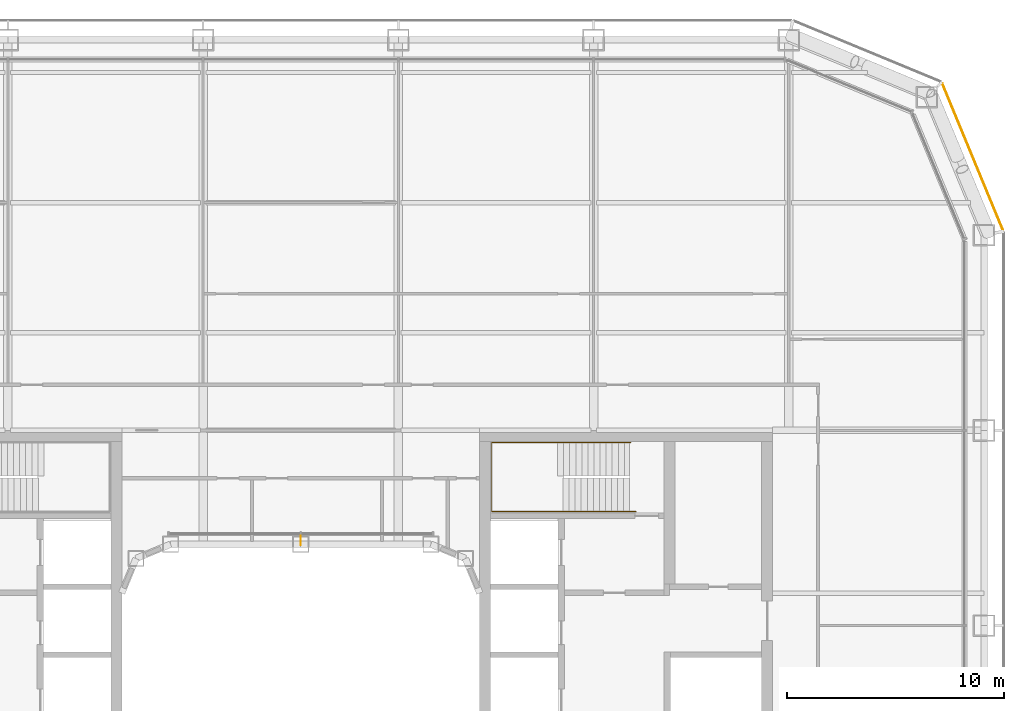
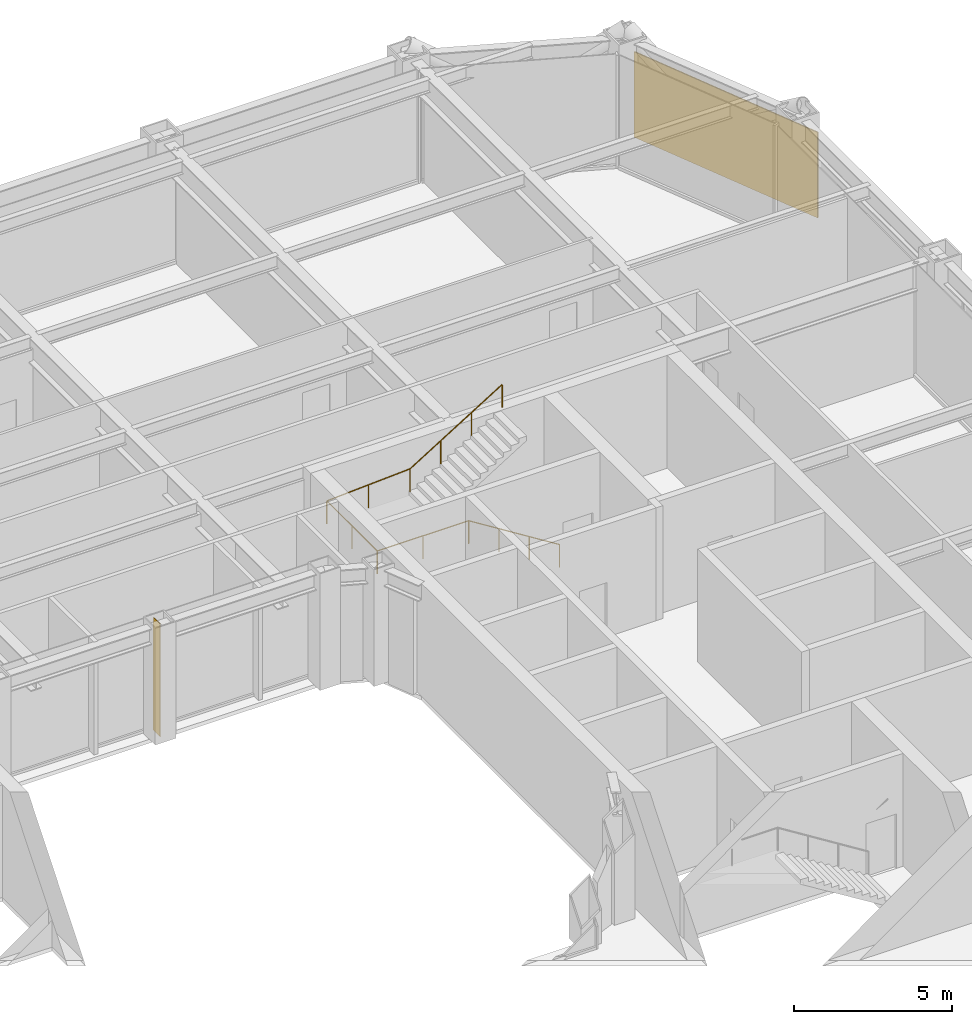
# One storey, part 24 of 25: 1 covering, 1 railing, 1 shading device.
"""IFC4 building model written with IfcOpenShell, lengths in metres."""

from ifc_helpers import new_model, si_unit, direction, frame, origin, origin_2d, place, context, subcontext, project, spatial, rectangle, circle, extrude, material, layer, layer_set, type_object, element, save


model = new_model("IFC4")

# Units and contexts
model_context = context("Model", 3, precision=1e-05, world=origin(), true_north=direction((0.0, 1.0)))
body_context = subcontext(model_context, "Body", "Model", "MODEL_VIEW")
ifc_project = project(units=[si_unit("LENGTHUNIT", "METRE"), si_unit("AREAUNIT", "SQUARE_METRE"), si_unit("VOLUMEUNIT", "CUBIC_METRE"), si_unit("PLANEANGLEUNIT", "RADIAN"), si_unit("MASSUNIT", "GRAM", prefix="KILO")], contexts=[model_context])

# Site, building, storey
site_placement = place(None, origin())
site = spatial("IfcSite", under=ifc_project, at=site_placement, CompositionType="ELEMENT")
building_placement = place(site_placement, origin())
building = spatial("IfcBuilding", under=site, at=building_placement, Name="Siwar Civic Tower", CompositionType="ELEMENT")
storey_placement = place(building_placement, frame((0.0, 0.0, 58.199951171875)))
storey = spatial("IfcBuildingStorey", under=building, at=storey_placement, Name="L12", CompositionType="ELEMENT", Elevation=58.199951171875)

# Railing
ifc_material_1 = material(Name="Stainless steel", Category="steel")
railing_type = type_object("IfcRailingType", Name="CORE-STAIR-HANDRAIL", PredefinedType="HANDRAIL", material=ifc_material_1)
railing_placement = place(storey_placement, frame((15.449951171875, 9.758056640625, 0.173095703125)))
element("IfcRailing", 1, at=railing_placement, inside=storey, type_object=railing_type, Name="Stair handrail ST3", PredefinedType="HANDRAIL", context=body_context, shape_type="SweptSolid", body=[
    extrude(circle(Radius=0.02001953125, at=origin_2d()), frame((0.0, 0.0, 0.8798828125), z_axis=(-0.847063342986, 0.0, 0.531491950051), x_axis=(0.0, -1.0, 0.0)), (0.0, 0.0, 1.0), 3.90771484375),
    extrude(circle(Radius=0.02001953125, at=origin_2d()), frame((-3.31005859375, 0.0, 2.956787109375), z_axis=(-1.0, 0.0, 0.0), x_axis=(0.0, -1.0, 0.0)), (0.0, 0.0, 1.0), 3.331787109375),
    extrude(circle(Radius=0.02001953125, at=origin_2d()), frame((-6.641845703125, 0.0, 2.956787109375), z_axis=(0.0, 1.0, 0.0), x_axis=(-1.0, 0.0, 0.0)), (0.0, 0.0, 1.0), 3.183837890625),
    extrude(circle(Radius=0.02001953125, at=origin_2d()), frame((-6.641845703125, 3.183837890625, 2.956787109375), z_axis=(0.99837434197, 0.0, 0.056997134106), x_axis=(0.0, 1.0, 0.0)), (0.0, 0.0, 1.0), 3.036865234375),
    extrude(circle(Radius=0.02001953125, at=origin_2d()), frame((-3.60986328125, 3.183837890625, 3.1298828125), z_axis=(0.850606129759, 0.0, 0.525803396734), x_axis=(0.0, 1.0, 0.0)), (0.0, 0.0, 1.0), 3.949951171875),
    extrude(circle(Radius=0.02001953125, at=origin_2d()), origin(), (0.0, 0.0, 1.0), 0.85986328125),
    extrude(circle(Radius=0.02001953125, at=origin_2d()), frame((-1.103271484375, 0.0, 0.6923828125)), (0.0, 0.0, 1.0), 0.85986328125),
    extrude(circle(Radius=0.02001953125, at=origin_2d()), frame((-2.206787109375, 0.0, 1.384521484375)), (0.0, 0.0, 1.0), 0.85986328125),
    extrude(circle(Radius=0.02001953125, at=origin_2d()), frame((-3.31005859375, 0.0, 2.076904296875)), (0.0, 0.0, 1.0), 0.85986328125),
    extrude(circle(Radius=0.02001953125, at=origin_2d()), frame((-4.97607421875, 0.0, 2.076904296875)), (0.0, 0.0, 1.0), 0.85986328125),
    extrude(circle(Radius=0.02001953125, at=origin_2d()), frame((-6.641845703125, 0.0, 2.076904296875)), (0.0, 0.0, 1.0), 0.85986328125),
    extrude(circle(Radius=0.02001953125, at=origin_2d()), frame((-6.641845703125, 1.591796875, 2.076904296875)), (0.0, 0.0, 1.0), 0.85986328125),
    extrude(circle(Radius=0.02001953125, at=origin_2d()), frame((-6.641845703125, 3.183837890625, 2.076904296875)), (0.0, 0.0, 1.0), 0.85986328125),
    extrude(circle(Radius=0.02001953125, at=origin_2d()), frame((-5.1259765625, 3.183837890625, 2.16357421875)), (0.0, 0.0, 1.0), 0.85986328125),
    extrude(circle(Radius=0.02001953125, at=origin_2d()), frame((-3.60986328125, 3.183837890625, 2.25)), (0.0, 0.0, 1.0), 0.85986328125),
    extrude(circle(Radius=0.02001953125, at=origin_2d()), frame((-2.489990234375, 3.183837890625, 2.9423828125)), (0.0, 0.0, 1.0), 0.85986328125),
    extrude(circle(Radius=0.02001953125, at=origin_2d()), frame((-1.369873046875, 3.183837890625, 3.634521484375)), (0.0, 0.0, 1.0), 0.85986328125),
    extrude(circle(Radius=0.02001953125, at=origin_2d()), frame((-0.25, 3.183837890625, 4.326904296875)), (0.0, 0.0, 1.0), 0.85986328125),
])

# Shading device
ifc_material_2 = material(Name="Aluminium 6063-T6", Category="aluminium")
ifc_layer_1 = layer(ifc_material_2, 0.02001953125)
ifc_layer_set_1 = layer_set([ifc_layer_1], Name="Aluminium 6063-T6")
shading_device_type = type_object("IfcShadingDeviceType", Name="ENV-FIN", PredefinedType="JALOUSIE", material=ifc_layer_set_1)
shading_device_placement = place(storey_placement, frame((0.0, 8.419921875, 0.0), z_axis=(0.0, 0.0, 1.0), x_axis=(-1.0, 0.0, 0.0)))
element("IfcShadingDevice", 2, at=shading_device_placement, inside=storey, type_object=shading_device_type, Name="SUNSHADE fin WN 1", PredefinedType="JALOUSIE", context=body_context, shape_type="SweptSolid", body=[
    extrude(rectangle(XDim=0.02001953125, YDim=0.449951171875, at=origin_2d()), origin(), (0.0, 0.0, 1.0), 4.35009765625),
])

# Covering
ifc_material_3 = material(Name="Perforated aluminium cassette, pale metal", Category="aluminium")
ifc_layer_2 = layer(ifc_material_3, 0.0400390625)
ifc_layer_set_2 = layer_set([ifc_layer_2], Name="Perforated aluminium cassette, pale metal")
covering_type = type_object("IfcCoveringType", Name="ENV-OUTER SKIN OS-1", PredefinedType="CLADDING", material=ifc_layer_set_2)
covering_placement = place(storey_placement, frame((30.976318359375, 26.115966796875, -0.14990234375), z_axis=(0.0, 0.0, 1.0), x_axis=(-0.382683432365, 0.923879532511, 0.0)))
element("IfcCovering", 3, at=covering_placement, inside=storey, type_object=covering_type, Name="OUTER SKIN OS-1 NE1 1", PredefinedType="CLADDING", context=body_context, shape_type="SweptSolid", body=[
    extrude(rectangle(XDim=7.300048828125, YDim=0.0400390625, at=origin_2d()), origin(), (0.0, 0.0, 1.0), 3.300048828125),
])

save(model, "model.ifc")
